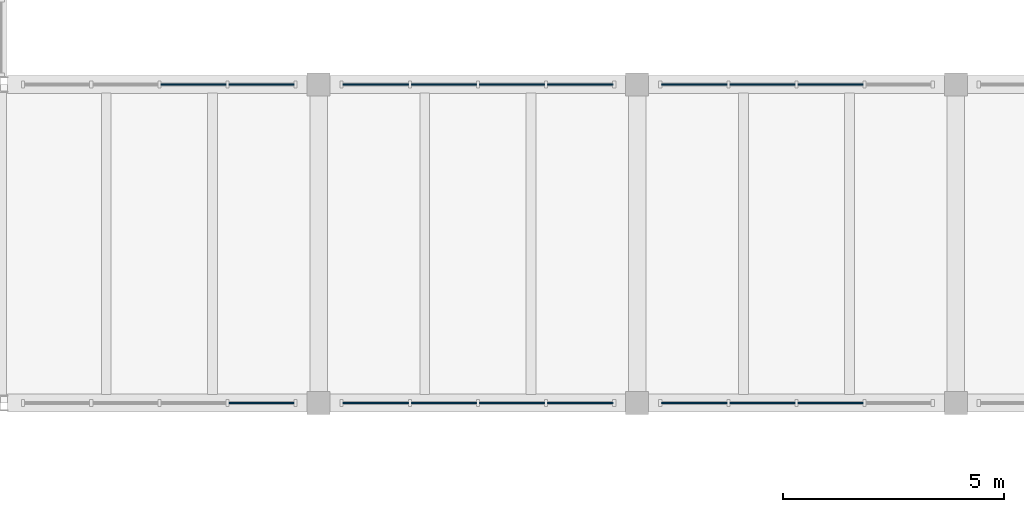
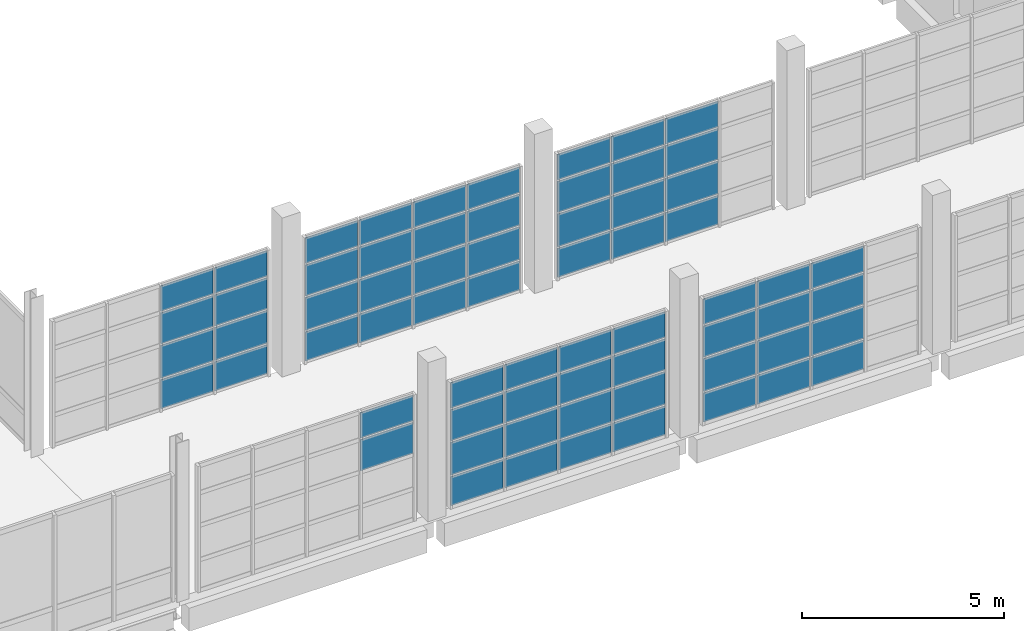
# One storey, part 51 of 77: 66 plates, 6 elements without a shape of their own.
"""IFC4 building model written with IfcOpenShell, lengths in metres."""

from ifc_helpers import new_model, si_unit, direction, frame, frame_2d, origin, place, context, subcontext, project, spatial, rectangle, extrude, material, layer, layer_set, type_object, element, aggregate, save


model = new_model("IFC4")

# Units and contexts
model_context = context("Model", 3, precision=1e-05, world=origin(), true_north=direction((0.0, 1.0)))
body_context = subcontext(model_context, "Body", "Model", "MODEL_VIEW")
ifc_project = project(units=[si_unit("LENGTHUNIT", "METRE"), si_unit("AREAUNIT", "SQUARE_METRE"), si_unit("VOLUMEUNIT", "CUBIC_METRE"), si_unit("PLANEANGLEUNIT", "RADIAN"), si_unit("MASSUNIT", "GRAM", prefix="KILO")], contexts=[model_context])

# Site, building, storey
site_placement = place(None, origin())
site = spatial("IfcSite", under=ifc_project, at=site_placement, CompositionType="ELEMENT")
building_placement = place(site_placement, origin())
building = spatial("IfcBuilding", under=site, at=building_placement, Name="Qiaolan Assembly House", CompositionType="ELEMENT")
storey_placement = place(building_placement, frame((0.0, 0.0, 5.39990234375)))
storey = spatial("IfcBuildingStorey", under=building, at=storey_placement, Name="L01", CompositionType="ELEMENT", Elevation=5.39990234375)

# Curtain wall, plates
ifc_material_1 = material(Name="Anodised bronze aluminium", Category="aluminium")
curtain_wall_type = type_object("IfcCurtainWallType", Name="CW-CLOISTER-420", PredefinedType="NOTDEFINED", material=ifc_material_1)
curtain_wall_1_placement = place(storey_placement, origin())
curtain_wall_1 = element("IfcCurtainWall", 1, at=curtain_wall_1_placement, inside=storey, type_object=curtain_wall_type, Name="CW-05 South Cloister outer arcade L01-1", PredefinedType="NOTDEFINED")
ifc_material_2 = material(Name="Low-E double insulating glass", Category="glass")
ifc_layer = layer(ifc_material_2, 0.02587890625)
ifc_layer_set = layer_set([ifc_layer], Name="Low-E double insulating glass")
plate_type = type_object("IfcPlateType", Name="CW-CLOISTER-420-PNL", PredefinedType="CURTAIN_PANEL", material=ifc_layer_set)
plate_1_placement = place(storey_placement, frame((113.1669921875, 36.0, 2.009521484375), z_axis=(0.0, 0.0, 1.0), x_axis=(1.0, 0.0, 0.0)))
plate_1 = element("IfcPlate", 2, at=plate_1_placement, type_object=plate_type, Name="GL-06 glazing panel CW-CLS-OUT-L01-0-15", PredefinedType="CURTAIN_PANEL", context=body_context, shape_type="SweptSolid", body=[
    extrude(rectangle(XDim=1.486083984375, YDim=0.02587890625, at=frame_2d((0.7431640625, 0.0))), origin(), (0.0, 0.0, 1.0), 0.9375),
])
plate_2_placement = place(storey_placement, frame((113.1669921875, 36.0, 2.9931640625), z_axis=(0.0, 0.0, 1.0), x_axis=(1.0, 0.0, 0.0)))
plate_2 = element("IfcPlate", 3, at=plate_2_placement, type_object=plate_type, Name="GL-06 glazing panel CW-CLS-OUT-L01-0-16", PredefinedType="CURTAIN_PANEL", context=body_context, shape_type="SweptSolid", body=[
    extrude(rectangle(XDim=1.486083984375, YDim=0.02587890625, at=frame_2d((0.7431640625, 0.0))), origin(), (0.0, 0.0, 1.0), 0.77392578125),
])
aggregate(curtain_wall_1, [plate_1, plate_2])

curtain_wall_2_placement = place(storey_placement, origin())
curtain_wall_2 = element("IfcCurtainWall", 4, at=curtain_wall_2_placement, inside=storey, type_object=curtain_wall_type, Name="CW-05 South Cloister court arcade L01-1", PredefinedType="NOTDEFINED")
plate_3_placement = place(storey_placement, frame((114.653076171875, 43.199951171875, 0.052978515625), z_axis=(0.0, 0.0, 1.0), x_axis=(-1.0, 0.0, 0.0)))
plate_3 = element("IfcPlate", 5, at=plate_3_placement, type_object=plate_type, Name="GL-06 glazing panel CW-CLS-CRT-L01-0-1", PredefinedType="CURTAIN_PANEL", context=body_context, shape_type="SweptSolid", body=[
    extrude(rectangle(XDim=1.486083984375, YDim=0.02587890625, at=frame_2d((0.7431640625, 0.0))), origin(), (0.0, 0.0, 1.0), 0.8740234375),
])
plate_4_placement = place(storey_placement, frame((114.653076171875, 43.199951171875, 0.97314453125), z_axis=(0.0, 0.0, 1.0), x_axis=(-1.0, 0.0, 0.0)))
plate_4 = element("IfcPlate", 6, at=plate_4_placement, type_object=plate_type, Name="GL-06 glazing panel CW-CLS-CRT-L01-0-2", PredefinedType="CURTAIN_PANEL", context=body_context, shape_type="SweptSolid", body=[
    extrude(rectangle(XDim=1.486083984375, YDim=0.02587890625, at=frame_2d((0.7431640625, 0.0))), origin(), (0.0, 0.0, 1.0), 0.990234375),
])
plate_5_placement = place(storey_placement, frame((114.653076171875, 43.199951171875, 2.009521484375), z_axis=(0.0, 0.0, 1.0), x_axis=(-1.0, 0.0, 0.0)))
plate_5 = element("IfcPlate", 7, at=plate_5_placement, type_object=plate_type, Name="GL-06 glazing panel CW-CLS-CRT-L01-0-3", PredefinedType="CURTAIN_PANEL", context=body_context, shape_type="SweptSolid", body=[
    extrude(rectangle(XDim=1.486083984375, YDim=0.02587890625, at=frame_2d((0.7431640625, 0.0))), origin(), (0.0, 0.0, 1.0), 0.9375),
])
plate_6_placement = place(storey_placement, frame((114.653076171875, 43.199951171875, 2.9931640625), z_axis=(0.0, 0.0, 1.0), x_axis=(-1.0, 0.0, 0.0)))
plate_6 = element("IfcPlate", 8, at=plate_6_placement, type_object=plate_type, Name="GL-06 glazing panel CW-CLS-CRT-L01-0-4", PredefinedType="CURTAIN_PANEL", context=body_context, shape_type="SweptSolid", body=[
    extrude(rectangle(XDim=1.486083984375, YDim=0.02587890625, at=frame_2d((0.7431640625, 0.0))), origin(), (0.0, 0.0, 1.0), 0.77392578125),
])
plate_7_placement = place(storey_placement, frame((113.113037109375, 43.199951171875, 0.052978515625), z_axis=(0.0, 0.0, 1.0), x_axis=(-1.0, 0.0, 0.0)))
plate_7 = element("IfcPlate", 9, at=plate_7_placement, type_object=plate_type, Name="GL-06 glazing panel CW-CLS-CRT-L01-0-5", PredefinedType="CURTAIN_PANEL", context=body_context, shape_type="SweptSolid", body=[
    extrude(rectangle(XDim=1.486083984375, YDim=0.02587890625, at=frame_2d((0.7431640625, 0.0))), origin(), (0.0, 0.0, 1.0), 0.8740234375),
])
plate_8_placement = place(storey_placement, frame((113.113037109375, 43.199951171875, 0.97314453125), z_axis=(0.0, 0.0, 1.0), x_axis=(-1.0, 0.0, 0.0)))
plate_8 = element("IfcPlate", 10, at=plate_8_placement, type_object=plate_type, Name="GL-06 glazing panel CW-CLS-CRT-L01-0-6", PredefinedType="CURTAIN_PANEL", context=body_context, shape_type="SweptSolid", body=[
    extrude(rectangle(XDim=1.486083984375, YDim=0.02587890625, at=frame_2d((0.7431640625, 0.0))), origin(), (0.0, 0.0, 1.0), 0.990234375),
])
plate_9_placement = place(storey_placement, frame((113.113037109375, 43.199951171875, 2.009521484375), z_axis=(0.0, 0.0, 1.0), x_axis=(-1.0, 0.0, 0.0)))
plate_9 = element("IfcPlate", 11, at=plate_9_placement, type_object=plate_type, Name="GL-06 glazing panel CW-CLS-CRT-L01-0-7", PredefinedType="CURTAIN_PANEL", context=body_context, shape_type="SweptSolid", body=[
    extrude(rectangle(XDim=1.486083984375, YDim=0.02587890625, at=frame_2d((0.7431640625, 0.0))), origin(), (0.0, 0.0, 1.0), 0.9375),
])
plate_10_placement = place(storey_placement, frame((113.113037109375, 43.199951171875, 2.9931640625), z_axis=(0.0, 0.0, 1.0), x_axis=(-1.0, 0.0, 0.0)))
plate_10 = element("IfcPlate", 12, at=plate_10_placement, type_object=plate_type, Name="GL-06 glazing panel CW-CLS-CRT-L01-0-8", PredefinedType="CURTAIN_PANEL", context=body_context, shape_type="SweptSolid", body=[
    extrude(rectangle(XDim=1.486083984375, YDim=0.02587890625, at=frame_2d((0.7431640625, 0.0))), origin(), (0.0, 0.0, 1.0), 0.77392578125),
])
aggregate(curtain_wall_2, [plate_3, plate_4, plate_5, plate_6, plate_7, plate_8, plate_9, plate_10])

curtain_wall_3_placement = place(storey_placement, origin())
curtain_wall_3 = element("IfcCurtainWall", 13, at=curtain_wall_3_placement, inside=storey, type_object=curtain_wall_type, Name="CW-05 South Cloister outer arcade L01-2", PredefinedType="NOTDEFINED")
plate_11_placement = place(storey_placement, frame((115.7470703125, 36.0, 0.052978515625), z_axis=(0.0, 0.0, 1.0), x_axis=(1.0, 0.0, 0.0)))
plate_11 = element("IfcPlate", 14, at=plate_11_placement, type_object=plate_type, Name="GL-06 glazing panel CW-CLS-OUT-L01-1-1", PredefinedType="CURTAIN_PANEL", context=body_context, shape_type="SweptSolid", body=[
    extrude(rectangle(XDim=1.48583984375, YDim=0.02587890625, at=frame_2d((0.742919921875, 0.0))), origin(), (0.0, 0.0, 1.0), 0.8740234375),
])
plate_12_placement = place(storey_placement, frame((115.7470703125, 36.0, 0.97314453125), z_axis=(0.0, 0.0, 1.0), x_axis=(1.0, 0.0, 0.0)))
plate_12 = element("IfcPlate", 15, at=plate_12_placement, type_object=plate_type, Name="GL-06 glazing panel CW-CLS-OUT-L01-1-2", PredefinedType="CURTAIN_PANEL", context=body_context, shape_type="SweptSolid", body=[
    extrude(rectangle(XDim=1.48583984375, YDim=0.02587890625, at=frame_2d((0.742919921875, 0.0))), origin(), (0.0, 0.0, 1.0), 0.990234375),
])
plate_13_placement = place(storey_placement, frame((115.7470703125, 36.0, 2.009521484375), z_axis=(0.0, 0.0, 1.0), x_axis=(1.0, 0.0, 0.0)))
plate_13 = element("IfcPlate", 16, at=plate_13_placement, type_object=plate_type, Name="GL-06 glazing panel CW-CLS-OUT-L01-1-3", PredefinedType="CURTAIN_PANEL", context=body_context, shape_type="SweptSolid", body=[
    extrude(rectangle(XDim=1.48583984375, YDim=0.02587890625, at=frame_2d((0.742919921875, 0.0))), origin(), (0.0, 0.0, 1.0), 0.9375),
])
plate_14_placement = place(storey_placement, frame((115.7470703125, 36.0, 2.9931640625), z_axis=(0.0, 0.0, 1.0), x_axis=(1.0, 0.0, 0.0)))
plate_14 = element("IfcPlate", 17, at=plate_14_placement, type_object=plate_type, Name="GL-06 glazing panel CW-CLS-OUT-L01-1-4", PredefinedType="CURTAIN_PANEL", context=body_context, shape_type="SweptSolid", body=[
    extrude(rectangle(XDim=1.48583984375, YDim=0.02587890625, at=frame_2d((0.742919921875, 0.0))), origin(), (0.0, 0.0, 1.0), 0.77392578125),
])
plate_15_placement = place(storey_placement, frame((117.287109375, 36.0, 0.052978515625), z_axis=(0.0, 0.0, 1.0), x_axis=(1.0, 0.0, 0.0)))
plate_15 = element("IfcPlate", 18, at=plate_15_placement, type_object=plate_type, Name="GL-06 glazing panel CW-CLS-OUT-L01-1-5", PredefinedType="CURTAIN_PANEL", context=body_context, shape_type="SweptSolid", body=[
    extrude(rectangle(XDim=1.48583984375, YDim=0.02587890625, at=frame_2d((0.742919921875, 0.0))), origin(), (0.0, 0.0, 1.0), 0.8740234375),
])
plate_16_placement = place(storey_placement, frame((117.287109375, 36.0, 0.97314453125), z_axis=(0.0, 0.0, 1.0), x_axis=(1.0, 0.0, 0.0)))
plate_16 = element("IfcPlate", 19, at=plate_16_placement, type_object=plate_type, Name="GL-06 glazing panel CW-CLS-OUT-L01-1-6", PredefinedType="CURTAIN_PANEL", context=body_context, shape_type="SweptSolid", body=[
    extrude(rectangle(XDim=1.48583984375, YDim=0.02587890625, at=frame_2d((0.742919921875, 0.0))), origin(), (0.0, 0.0, 1.0), 0.990234375),
])
plate_17_placement = place(storey_placement, frame((117.287109375, 36.0, 2.009521484375), z_axis=(0.0, 0.0, 1.0), x_axis=(1.0, 0.0, 0.0)))
plate_17 = element("IfcPlate", 20, at=plate_17_placement, type_object=plate_type, Name="GL-06 glazing panel CW-CLS-OUT-L01-1-7", PredefinedType="CURTAIN_PANEL", context=body_context, shape_type="SweptSolid", body=[
    extrude(rectangle(XDim=1.48583984375, YDim=0.02587890625, at=frame_2d((0.742919921875, 0.0))), origin(), (0.0, 0.0, 1.0), 0.9375),
])
plate_18_placement = place(storey_placement, frame((117.287109375, 36.0, 2.9931640625), z_axis=(0.0, 0.0, 1.0), x_axis=(1.0, 0.0, 0.0)))
plate_18 = element("IfcPlate", 21, at=plate_18_placement, type_object=plate_type, Name="GL-06 glazing panel CW-CLS-OUT-L01-1-8", PredefinedType="CURTAIN_PANEL", context=body_context, shape_type="SweptSolid", body=[
    extrude(rectangle(XDim=1.48583984375, YDim=0.02587890625, at=frame_2d((0.742919921875, 0.0))), origin(), (0.0, 0.0, 1.0), 0.77392578125),
])
plate_19_placement = place(storey_placement, frame((118.826904296875, 36.0, 0.052978515625), z_axis=(0.0, 0.0, 1.0), x_axis=(1.0, 0.0, 0.0)))
plate_19 = element("IfcPlate", 22, at=plate_19_placement, type_object=plate_type, Name="GL-06 glazing panel CW-CLS-OUT-L01-1-9", PredefinedType="CURTAIN_PANEL", context=body_context, shape_type="SweptSolid", body=[
    extrude(rectangle(XDim=1.486083984375, YDim=0.02587890625, at=frame_2d((0.7431640625, 0.0))), origin(), (0.0, 0.0, 1.0), 0.8740234375),
])
plate_20_placement = place(storey_placement, frame((118.826904296875, 36.0, 0.97314453125), z_axis=(0.0, 0.0, 1.0), x_axis=(1.0, 0.0, 0.0)))
plate_20 = element("IfcPlate", 23, at=plate_20_placement, type_object=plate_type, Name="GL-06 glazing panel CW-CLS-OUT-L01-1-10", PredefinedType="CURTAIN_PANEL", context=body_context, shape_type="SweptSolid", body=[
    extrude(rectangle(XDim=1.486083984375, YDim=0.02587890625, at=frame_2d((0.7431640625, 0.0))), origin(), (0.0, 0.0, 1.0), 0.990234375),
])
plate_21_placement = place(storey_placement, frame((118.826904296875, 36.0, 2.009521484375), z_axis=(0.0, 0.0, 1.0), x_axis=(1.0, 0.0, 0.0)))
plate_21 = element("IfcPlate", 24, at=plate_21_placement, type_object=plate_type, Name="GL-06 glazing panel CW-CLS-OUT-L01-1-11", PredefinedType="CURTAIN_PANEL", context=body_context, shape_type="SweptSolid", body=[
    extrude(rectangle(XDim=1.486083984375, YDim=0.02587890625, at=frame_2d((0.7431640625, 0.0))), origin(), (0.0, 0.0, 1.0), 0.9375),
])
plate_22_placement = place(storey_placement, frame((118.826904296875, 36.0, 2.9931640625), z_axis=(0.0, 0.0, 1.0), x_axis=(1.0, 0.0, 0.0)))
plate_22 = element("IfcPlate", 25, at=plate_22_placement, type_object=plate_type, Name="GL-06 glazing panel CW-CLS-OUT-L01-1-12", PredefinedType="CURTAIN_PANEL", context=body_context, shape_type="SweptSolid", body=[
    extrude(rectangle(XDim=1.486083984375, YDim=0.02587890625, at=frame_2d((0.7431640625, 0.0))), origin(), (0.0, 0.0, 1.0), 0.77392578125),
])
plate_23_placement = place(storey_placement, frame((120.366943359375, 36.0, 0.052978515625), z_axis=(0.0, 0.0, 1.0), x_axis=(1.0, 0.0, 0.0)))
plate_23 = element("IfcPlate", 26, at=plate_23_placement, type_object=plate_type, Name="GL-06 glazing panel CW-CLS-OUT-L01-1-13", PredefinedType="CURTAIN_PANEL", context=body_context, shape_type="SweptSolid", body=[
    extrude(rectangle(XDim=1.486083984375, YDim=0.02587890625, at=frame_2d((0.7431640625, 0.0))), origin(), (0.0, 0.0, 1.0), 0.8740234375),
])
plate_24_placement = place(storey_placement, frame((120.366943359375, 36.0, 0.97314453125), z_axis=(0.0, 0.0, 1.0), x_axis=(1.0, 0.0, 0.0)))
plate_24 = element("IfcPlate", 27, at=plate_24_placement, type_object=plate_type, Name="GL-06 glazing panel CW-CLS-OUT-L01-1-14", PredefinedType="CURTAIN_PANEL", context=body_context, shape_type="SweptSolid", body=[
    extrude(rectangle(XDim=1.486083984375, YDim=0.02587890625, at=frame_2d((0.7431640625, 0.0))), origin(), (0.0, 0.0, 1.0), 0.990234375),
])
plate_25_placement = place(storey_placement, frame((120.366943359375, 36.0, 2.009521484375), z_axis=(0.0, 0.0, 1.0), x_axis=(1.0, 0.0, 0.0)))
plate_25 = element("IfcPlate", 28, at=plate_25_placement, type_object=plate_type, Name="GL-06 glazing panel CW-CLS-OUT-L01-1-15", PredefinedType="CURTAIN_PANEL", context=body_context, shape_type="SweptSolid", body=[
    extrude(rectangle(XDim=1.486083984375, YDim=0.02587890625, at=frame_2d((0.7431640625, 0.0))), origin(), (0.0, 0.0, 1.0), 0.9375),
])
plate_26_placement = place(storey_placement, frame((120.366943359375, 36.0, 2.9931640625), z_axis=(0.0, 0.0, 1.0), x_axis=(1.0, 0.0, 0.0)))
plate_26 = element("IfcPlate", 29, at=plate_26_placement, type_object=plate_type, Name="GL-06 glazing panel CW-CLS-OUT-L01-1-16", PredefinedType="CURTAIN_PANEL", context=body_context, shape_type="SweptSolid", body=[
    extrude(rectangle(XDim=1.486083984375, YDim=0.02587890625, at=frame_2d((0.7431640625, 0.0))), origin(), (0.0, 0.0, 1.0), 0.77392578125),
])
aggregate(curtain_wall_3, [plate_11, plate_12, plate_13, plate_14, plate_15, plate_16, plate_17, plate_18, plate_19, plate_20, plate_21, plate_22, plate_23, plate_24, plate_25, plate_26])

curtain_wall_4_placement = place(storey_placement, origin())
curtain_wall_4 = element("IfcCurtainWall", 30, at=curtain_wall_4_placement, inside=storey, type_object=curtain_wall_type, Name="CW-05 South Cloister court arcade L01-2", PredefinedType="NOTDEFINED")
plate_27_placement = place(storey_placement, frame((121.85302734375, 43.199951171875, 0.052978515625), z_axis=(0.0, 0.0, 1.0), x_axis=(-1.0, 0.0, 0.0)))
plate_27 = element("IfcPlate", 31, at=plate_27_placement, type_object=plate_type, Name="GL-06 glazing panel CW-CLS-CRT-L01-1-1", PredefinedType="CURTAIN_PANEL", context=body_context, shape_type="SweptSolid", body=[
    extrude(rectangle(XDim=1.486083984375, YDim=0.02587890625, at=frame_2d((0.7431640625, 0.0))), origin(), (0.0, 0.0, 1.0), 0.8740234375),
])
plate_28_placement = place(storey_placement, frame((121.85302734375, 43.199951171875, 0.97314453125), z_axis=(0.0, 0.0, 1.0), x_axis=(-1.0, 0.0, 0.0)))
plate_28 = element("IfcPlate", 32, at=plate_28_placement, type_object=plate_type, Name="GL-06 glazing panel CW-CLS-CRT-L01-1-2", PredefinedType="CURTAIN_PANEL", context=body_context, shape_type="SweptSolid", body=[
    extrude(rectangle(XDim=1.486083984375, YDim=0.02587890625, at=frame_2d((0.7431640625, 0.0))), origin(), (0.0, 0.0, 1.0), 0.990234375),
])
plate_29_placement = place(storey_placement, frame((121.85302734375, 43.199951171875, 2.009521484375), z_axis=(0.0, 0.0, 1.0), x_axis=(-1.0, 0.0, 0.0)))
plate_29 = element("IfcPlate", 33, at=plate_29_placement, type_object=plate_type, Name="GL-06 glazing panel CW-CLS-CRT-L01-1-3", PredefinedType="CURTAIN_PANEL", context=body_context, shape_type="SweptSolid", body=[
    extrude(rectangle(XDim=1.486083984375, YDim=0.02587890625, at=frame_2d((0.7431640625, 0.0))), origin(), (0.0, 0.0, 1.0), 0.9375),
])
plate_30_placement = place(storey_placement, frame((121.85302734375, 43.199951171875, 2.9931640625), z_axis=(0.0, 0.0, 1.0), x_axis=(-1.0, 0.0, 0.0)))
plate_30 = element("IfcPlate", 34, at=plate_30_placement, type_object=plate_type, Name="GL-06 glazing panel CW-CLS-CRT-L01-1-4", PredefinedType="CURTAIN_PANEL", context=body_context, shape_type="SweptSolid", body=[
    extrude(rectangle(XDim=1.486083984375, YDim=0.02587890625, at=frame_2d((0.7431640625, 0.0))), origin(), (0.0, 0.0, 1.0), 0.77392578125),
])
plate_31_placement = place(storey_placement, frame((120.31298828125, 43.199951171875, 0.052978515625), z_axis=(0.0, 0.0, 1.0), x_axis=(-1.0, 0.0, 0.0)))
plate_31 = element("IfcPlate", 35, at=plate_31_placement, type_object=plate_type, Name="GL-06 glazing panel CW-CLS-CRT-L01-1-5", PredefinedType="CURTAIN_PANEL", context=body_context, shape_type="SweptSolid", body=[
    extrude(rectangle(XDim=1.486083984375, YDim=0.02587890625, at=frame_2d((0.7431640625, 0.0))), origin(), (0.0, 0.0, 1.0), 0.8740234375),
])
plate_32_placement = place(storey_placement, frame((120.31298828125, 43.199951171875, 0.97314453125), z_axis=(0.0, 0.0, 1.0), x_axis=(-1.0, 0.0, 0.0)))
plate_32 = element("IfcPlate", 36, at=plate_32_placement, type_object=plate_type, Name="GL-06 glazing panel CW-CLS-CRT-L01-1-6", PredefinedType="CURTAIN_PANEL", context=body_context, shape_type="SweptSolid", body=[
    extrude(rectangle(XDim=1.486083984375, YDim=0.02587890625, at=frame_2d((0.7431640625, 0.0))), origin(), (0.0, 0.0, 1.0), 0.990234375),
])
plate_33_placement = place(storey_placement, frame((120.31298828125, 43.199951171875, 2.009521484375), z_axis=(0.0, 0.0, 1.0), x_axis=(-1.0, 0.0, 0.0)))
plate_33 = element("IfcPlate", 37, at=plate_33_placement, type_object=plate_type, Name="GL-06 glazing panel CW-CLS-CRT-L01-1-7", PredefinedType="CURTAIN_PANEL", context=body_context, shape_type="SweptSolid", body=[
    extrude(rectangle(XDim=1.486083984375, YDim=0.02587890625, at=frame_2d((0.7431640625, 0.0))), origin(), (0.0, 0.0, 1.0), 0.9375),
])
plate_34_placement = place(storey_placement, frame((120.31298828125, 43.199951171875, 2.9931640625), z_axis=(0.0, 0.0, 1.0), x_axis=(-1.0, 0.0, 0.0)))
plate_34 = element("IfcPlate", 38, at=plate_34_placement, type_object=plate_type, Name="GL-06 glazing panel CW-CLS-CRT-L01-1-8", PredefinedType="CURTAIN_PANEL", context=body_context, shape_type="SweptSolid", body=[
    extrude(rectangle(XDim=1.486083984375, YDim=0.02587890625, at=frame_2d((0.7431640625, 0.0))), origin(), (0.0, 0.0, 1.0), 0.77392578125),
])
plate_35_placement = place(storey_placement, frame((118.77294921875, 43.199951171875, 0.052978515625), z_axis=(0.0, 0.0, 1.0), x_axis=(-1.0, 0.0, 0.0)))
plate_35 = element("IfcPlate", 39, at=plate_35_placement, type_object=plate_type, Name="GL-06 glazing panel CW-CLS-CRT-L01-1-9", PredefinedType="CURTAIN_PANEL", context=body_context, shape_type="SweptSolid", body=[
    extrude(rectangle(XDim=1.48583984375, YDim=0.02587890625, at=frame_2d((0.742919921875, 0.0))), origin(), (0.0, 0.0, 1.0), 0.8740234375),
])
plate_36_placement = place(storey_placement, frame((118.77294921875, 43.199951171875, 0.97314453125), z_axis=(0.0, 0.0, 1.0), x_axis=(-1.0, 0.0, 0.0)))
plate_36 = element("IfcPlate", 40, at=plate_36_placement, type_object=plate_type, Name="GL-06 glazing panel CW-CLS-CRT-L01-1-10", PredefinedType="CURTAIN_PANEL", context=body_context, shape_type="SweptSolid", body=[
    extrude(rectangle(XDim=1.48583984375, YDim=0.02587890625, at=frame_2d((0.742919921875, 0.0))), origin(), (0.0, 0.0, 1.0), 0.990234375),
])
plate_37_placement = place(storey_placement, frame((118.77294921875, 43.199951171875, 2.009521484375), z_axis=(0.0, 0.0, 1.0), x_axis=(-1.0, 0.0, 0.0)))
plate_37 = element("IfcPlate", 41, at=plate_37_placement, type_object=plate_type, Name="GL-06 glazing panel CW-CLS-CRT-L01-1-11", PredefinedType="CURTAIN_PANEL", context=body_context, shape_type="SweptSolid", body=[
    extrude(rectangle(XDim=1.48583984375, YDim=0.02587890625, at=frame_2d((0.742919921875, 0.0))), origin(), (0.0, 0.0, 1.0), 0.9375),
])
plate_38_placement = place(storey_placement, frame((118.77294921875, 43.199951171875, 2.9931640625), z_axis=(0.0, 0.0, 1.0), x_axis=(-1.0, 0.0, 0.0)))
plate_38 = element("IfcPlate", 42, at=plate_38_placement, type_object=plate_type, Name="GL-06 glazing panel CW-CLS-CRT-L01-1-12", PredefinedType="CURTAIN_PANEL", context=body_context, shape_type="SweptSolid", body=[
    extrude(rectangle(XDim=1.48583984375, YDim=0.02587890625, at=frame_2d((0.742919921875, 0.0))), origin(), (0.0, 0.0, 1.0), 0.77392578125),
])
plate_39_placement = place(storey_placement, frame((117.23291015625, 43.199951171875, 0.052978515625), z_axis=(0.0, 0.0, 1.0), x_axis=(-1.0, 0.0, 0.0)))
plate_39 = element("IfcPlate", 43, at=plate_39_placement, type_object=plate_type, Name="GL-06 glazing panel CW-CLS-CRT-L01-1-13", PredefinedType="CURTAIN_PANEL", context=body_context, shape_type="SweptSolid", body=[
    extrude(rectangle(XDim=1.48583984375, YDim=0.02587890625, at=frame_2d((0.742919921875, 0.0))), origin(), (0.0, 0.0, 1.0), 0.8740234375),
])
plate_40_placement = place(storey_placement, frame((117.23291015625, 43.199951171875, 0.97314453125), z_axis=(0.0, 0.0, 1.0), x_axis=(-1.0, 0.0, 0.0)))
plate_40 = element("IfcPlate", 44, at=plate_40_placement, type_object=plate_type, Name="GL-06 glazing panel CW-CLS-CRT-L01-1-14", PredefinedType="CURTAIN_PANEL", context=body_context, shape_type="SweptSolid", body=[
    extrude(rectangle(XDim=1.48583984375, YDim=0.02587890625, at=frame_2d((0.742919921875, 0.0))), origin(), (0.0, 0.0, 1.0), 0.990234375),
])
plate_41_placement = place(storey_placement, frame((117.23291015625, 43.199951171875, 2.009521484375), z_axis=(0.0, 0.0, 1.0), x_axis=(-1.0, 0.0, 0.0)))
plate_41 = element("IfcPlate", 45, at=plate_41_placement, type_object=plate_type, Name="GL-06 glazing panel CW-CLS-CRT-L01-1-15", PredefinedType="CURTAIN_PANEL", context=body_context, shape_type="SweptSolid", body=[
    extrude(rectangle(XDim=1.48583984375, YDim=0.02587890625, at=frame_2d((0.742919921875, 0.0))), origin(), (0.0, 0.0, 1.0), 0.9375),
])
plate_42_placement = place(storey_placement, frame((117.23291015625, 43.199951171875, 2.9931640625), z_axis=(0.0, 0.0, 1.0), x_axis=(-1.0, 0.0, 0.0)))
plate_42 = element("IfcPlate", 46, at=plate_42_placement, type_object=plate_type, Name="GL-06 glazing panel CW-CLS-CRT-L01-1-16", PredefinedType="CURTAIN_PANEL", context=body_context, shape_type="SweptSolid", body=[
    extrude(rectangle(XDim=1.48583984375, YDim=0.02587890625, at=frame_2d((0.742919921875, 0.0))), origin(), (0.0, 0.0, 1.0), 0.77392578125),
])
aggregate(curtain_wall_4, [plate_27, plate_28, plate_29, plate_30, plate_31, plate_32, plate_33, plate_34, plate_35, plate_36, plate_37, plate_38, plate_39, plate_40, plate_41, plate_42])

curtain_wall_5_placement = place(storey_placement, origin())
curtain_wall_5 = element("IfcCurtainWall", 47, at=curtain_wall_5_placement, inside=storey, type_object=curtain_wall_type, Name="CW-05 South Cloister outer arcade L01-3", PredefinedType="NOTDEFINED")
plate_43_placement = place(storey_placement, frame((122.947021484375, 36.0, 0.052978515625), z_axis=(0.0, 0.0, 1.0), x_axis=(1.0, 0.0, 0.0)))
plate_43 = element("IfcPlate", 48, at=plate_43_placement, type_object=plate_type, Name="GL-06 glazing panel CW-CLS-OUT-L01-2-1", PredefinedType="CURTAIN_PANEL", context=body_context, shape_type="SweptSolid", body=[
    extrude(rectangle(XDim=1.486083984375, YDim=0.02587890625, at=frame_2d((0.7431640625, 0.0))), origin(), (0.0, 0.0, 1.0), 0.8740234375),
])
plate_44_placement = place(storey_placement, frame((122.947021484375, 36.0, 0.97314453125), z_axis=(0.0, 0.0, 1.0), x_axis=(1.0, 0.0, 0.0)))
plate_44 = element("IfcPlate", 49, at=plate_44_placement, type_object=plate_type, Name="GL-06 glazing panel CW-CLS-OUT-L01-2-2", PredefinedType="CURTAIN_PANEL", context=body_context, shape_type="SweptSolid", body=[
    extrude(rectangle(XDim=1.486083984375, YDim=0.02587890625, at=frame_2d((0.7431640625, 0.0))), origin(), (0.0, 0.0, 1.0), 0.990234375),
])
plate_45_placement = place(storey_placement, frame((122.947021484375, 36.0, 2.009521484375), z_axis=(0.0, 0.0, 1.0), x_axis=(1.0, 0.0, 0.0)))
plate_45 = element("IfcPlate", 50, at=plate_45_placement, type_object=plate_type, Name="GL-06 glazing panel CW-CLS-OUT-L01-2-3", PredefinedType="CURTAIN_PANEL", context=body_context, shape_type="SweptSolid", body=[
    extrude(rectangle(XDim=1.486083984375, YDim=0.02587890625, at=frame_2d((0.7431640625, 0.0))), origin(), (0.0, 0.0, 1.0), 0.9375),
])
plate_46_placement = place(storey_placement, frame((122.947021484375, 36.0, 2.9931640625), z_axis=(0.0, 0.0, 1.0), x_axis=(1.0, 0.0, 0.0)))
plate_46 = element("IfcPlate", 51, at=plate_46_placement, type_object=plate_type, Name="GL-06 glazing panel CW-CLS-OUT-L01-2-4", PredefinedType="CURTAIN_PANEL", context=body_context, shape_type="SweptSolid", body=[
    extrude(rectangle(XDim=1.486083984375, YDim=0.02587890625, at=frame_2d((0.7431640625, 0.0))), origin(), (0.0, 0.0, 1.0), 0.77392578125),
])
plate_47_placement = place(storey_placement, frame((124.487060546875, 36.0, 0.052978515625), z_axis=(0.0, 0.0, 1.0), x_axis=(1.0, 0.0, 0.0)))
plate_47 = element("IfcPlate", 52, at=plate_47_placement, type_object=plate_type, Name="GL-06 glazing panel CW-CLS-OUT-L01-2-5", PredefinedType="CURTAIN_PANEL", context=body_context, shape_type="SweptSolid", body=[
    extrude(rectangle(XDim=1.48583984375, YDim=0.02587890625, at=frame_2d((0.742919921875, 0.0))), origin(), (0.0, 0.0, 1.0), 0.8740234375),
])
plate_48_placement = place(storey_placement, frame((124.487060546875, 36.0, 0.97314453125), z_axis=(0.0, 0.0, 1.0), x_axis=(1.0, 0.0, 0.0)))
plate_48 = element("IfcPlate", 53, at=plate_48_placement, type_object=plate_type, Name="GL-06 glazing panel CW-CLS-OUT-L01-2-6", PredefinedType="CURTAIN_PANEL", context=body_context, shape_type="SweptSolid", body=[
    extrude(rectangle(XDim=1.48583984375, YDim=0.02587890625, at=frame_2d((0.742919921875, 0.0))), origin(), (0.0, 0.0, 1.0), 0.990234375),
])
plate_49_placement = place(storey_placement, frame((124.487060546875, 36.0, 2.009521484375), z_axis=(0.0, 0.0, 1.0), x_axis=(1.0, 0.0, 0.0)))
plate_49 = element("IfcPlate", 54, at=plate_49_placement, type_object=plate_type, Name="GL-06 glazing panel CW-CLS-OUT-L01-2-7", PredefinedType="CURTAIN_PANEL", context=body_context, shape_type="SweptSolid", body=[
    extrude(rectangle(XDim=1.48583984375, YDim=0.02587890625, at=frame_2d((0.742919921875, 0.0))), origin(), (0.0, 0.0, 1.0), 0.9375),
])
plate_50_placement = place(storey_placement, frame((124.487060546875, 36.0, 2.9931640625), z_axis=(0.0, 0.0, 1.0), x_axis=(1.0, 0.0, 0.0)))
plate_50 = element("IfcPlate", 55, at=plate_50_placement, type_object=plate_type, Name="GL-06 glazing panel CW-CLS-OUT-L01-2-8", PredefinedType="CURTAIN_PANEL", context=body_context, shape_type="SweptSolid", body=[
    extrude(rectangle(XDim=1.48583984375, YDim=0.02587890625, at=frame_2d((0.742919921875, 0.0))), origin(), (0.0, 0.0, 1.0), 0.77392578125),
])
plate_51_placement = place(storey_placement, frame((126.027099609375, 36.0, 0.052978515625), z_axis=(0.0, 0.0, 1.0), x_axis=(1.0, 0.0, 0.0)))
plate_51 = element("IfcPlate", 56, at=plate_51_placement, type_object=plate_type, Name="GL-06 glazing panel CW-CLS-OUT-L01-2-9", PredefinedType="CURTAIN_PANEL", context=body_context, shape_type="SweptSolid", body=[
    extrude(rectangle(XDim=1.48583984375, YDim=0.02587890625, at=frame_2d((0.742919921875, 0.0))), origin(), (0.0, 0.0, 1.0), 0.8740234375),
])
plate_52_placement = place(storey_placement, frame((126.027099609375, 36.0, 0.97314453125), z_axis=(0.0, 0.0, 1.0), x_axis=(1.0, 0.0, 0.0)))
plate_52 = element("IfcPlate", 57, at=plate_52_placement, type_object=plate_type, Name="GL-06 glazing panel CW-CLS-OUT-L01-2-10", PredefinedType="CURTAIN_PANEL", context=body_context, shape_type="SweptSolid", body=[
    extrude(rectangle(XDim=1.48583984375, YDim=0.02587890625, at=frame_2d((0.742919921875, 0.0))), origin(), (0.0, 0.0, 1.0), 0.990234375),
])
plate_53_placement = place(storey_placement, frame((126.027099609375, 36.0, 2.009521484375), z_axis=(0.0, 0.0, 1.0), x_axis=(1.0, 0.0, 0.0)))
plate_53 = element("IfcPlate", 58, at=plate_53_placement, type_object=plate_type, Name="GL-06 glazing panel CW-CLS-OUT-L01-2-11", PredefinedType="CURTAIN_PANEL", context=body_context, shape_type="SweptSolid", body=[
    extrude(rectangle(XDim=1.48583984375, YDim=0.02587890625, at=frame_2d((0.742919921875, 0.0))), origin(), (0.0, 0.0, 1.0), 0.9375),
])
plate_54_placement = place(storey_placement, frame((126.027099609375, 36.0, 2.9931640625), z_axis=(0.0, 0.0, 1.0), x_axis=(1.0, 0.0, 0.0)))
plate_54 = element("IfcPlate", 59, at=plate_54_placement, type_object=plate_type, Name="GL-06 glazing panel CW-CLS-OUT-L01-2-12", PredefinedType="CURTAIN_PANEL", context=body_context, shape_type="SweptSolid", body=[
    extrude(rectangle(XDim=1.48583984375, YDim=0.02587890625, at=frame_2d((0.742919921875, 0.0))), origin(), (0.0, 0.0, 1.0), 0.77392578125),
])
aggregate(curtain_wall_5, [plate_43, plate_44, plate_45, plate_46, plate_47, plate_48, plate_49, plate_50, plate_51, plate_52, plate_53, plate_54])

curtain_wall_6_placement = place(storey_placement, origin())
curtain_wall_6 = element("IfcCurtainWall", 60, at=curtain_wall_6_placement, inside=storey, type_object=curtain_wall_type, Name="CW-05 South Cloister court arcade L01-3", PredefinedType="NOTDEFINED")
plate_55_placement = place(storey_placement, frame((127.512939453125, 43.199951171875, 0.052978515625), z_axis=(0.0, 0.0, 1.0), x_axis=(-1.0, 0.0, 0.0)))
plate_55 = element("IfcPlate", 61, at=plate_55_placement, type_object=plate_type, Name="GL-06 glazing panel CW-CLS-CRT-L01-2-5", PredefinedType="CURTAIN_PANEL", context=body_context, shape_type="SweptSolid", body=[
    extrude(rectangle(XDim=1.48583984375, YDim=0.02587890625, at=frame_2d((0.742919921875, 0.0))), origin(), (0.0, 0.0, 1.0), 0.8740234375),
])
plate_56_placement = place(storey_placement, frame((127.512939453125, 43.199951171875, 0.97314453125), z_axis=(0.0, 0.0, 1.0), x_axis=(-1.0, 0.0, 0.0)))
plate_56 = element("IfcPlate", 62, at=plate_56_placement, type_object=plate_type, Name="GL-06 glazing panel CW-CLS-CRT-L01-2-6", PredefinedType="CURTAIN_PANEL", context=body_context, shape_type="SweptSolid", body=[
    extrude(rectangle(XDim=1.48583984375, YDim=0.02587890625, at=frame_2d((0.742919921875, 0.0))), origin(), (0.0, 0.0, 1.0), 0.990234375),
])
plate_57_placement = place(storey_placement, frame((127.512939453125, 43.199951171875, 2.009521484375), z_axis=(0.0, 0.0, 1.0), x_axis=(-1.0, 0.0, 0.0)))
plate_57 = element("IfcPlate", 63, at=plate_57_placement, type_object=plate_type, Name="GL-06 glazing panel CW-CLS-CRT-L01-2-7", PredefinedType="CURTAIN_PANEL", context=body_context, shape_type="SweptSolid", body=[
    extrude(rectangle(XDim=1.48583984375, YDim=0.02587890625, at=frame_2d((0.742919921875, 0.0))), origin(), (0.0, 0.0, 1.0), 0.9375),
])
plate_58_placement = place(storey_placement, frame((127.512939453125, 43.199951171875, 2.9931640625), z_axis=(0.0, 0.0, 1.0), x_axis=(-1.0, 0.0, 0.0)))
plate_58 = element("IfcPlate", 64, at=plate_58_placement, type_object=plate_type, Name="GL-06 glazing panel CW-CLS-CRT-L01-2-8", PredefinedType="CURTAIN_PANEL", context=body_context, shape_type="SweptSolid", body=[
    extrude(rectangle(XDim=1.48583984375, YDim=0.02587890625, at=frame_2d((0.742919921875, 0.0))), origin(), (0.0, 0.0, 1.0), 0.77392578125),
])
plate_59_placement = place(storey_placement, frame((125.972900390625, 43.199951171875, 0.052978515625), z_axis=(0.0, 0.0, 1.0), x_axis=(-1.0, 0.0, 0.0)))
plate_59 = element("IfcPlate", 65, at=plate_59_placement, type_object=plate_type, Name="GL-06 glazing panel CW-CLS-CRT-L01-2-9", PredefinedType="CURTAIN_PANEL", context=body_context, shape_type="SweptSolid", body=[
    extrude(rectangle(XDim=1.48583984375, YDim=0.02587890625, at=frame_2d((0.742919921875, 0.0))), origin(), (0.0, 0.0, 1.0), 0.8740234375),
])
plate_60_placement = place(storey_placement, frame((125.972900390625, 43.199951171875, 0.97314453125), z_axis=(0.0, 0.0, 1.0), x_axis=(-1.0, 0.0, 0.0)))
plate_60 = element("IfcPlate", 66, at=plate_60_placement, type_object=plate_type, Name="GL-06 glazing panel CW-CLS-CRT-L01-2-10", PredefinedType="CURTAIN_PANEL", context=body_context, shape_type="SweptSolid", body=[
    extrude(rectangle(XDim=1.48583984375, YDim=0.02587890625, at=frame_2d((0.742919921875, 0.0))), origin(), (0.0, 0.0, 1.0), 0.990234375),
])
plate_61_placement = place(storey_placement, frame((125.972900390625, 43.199951171875, 2.009521484375), z_axis=(0.0, 0.0, 1.0), x_axis=(-1.0, 0.0, 0.0)))
plate_61 = element("IfcPlate", 67, at=plate_61_placement, type_object=plate_type, Name="GL-06 glazing panel CW-CLS-CRT-L01-2-11", PredefinedType="CURTAIN_PANEL", context=body_context, shape_type="SweptSolid", body=[
    extrude(rectangle(XDim=1.48583984375, YDim=0.02587890625, at=frame_2d((0.742919921875, 0.0))), origin(), (0.0, 0.0, 1.0), 0.9375),
])
plate_62_placement = place(storey_placement, frame((125.972900390625, 43.199951171875, 2.9931640625), z_axis=(0.0, 0.0, 1.0), x_axis=(-1.0, 0.0, 0.0)))
plate_62 = element("IfcPlate", 68, at=plate_62_placement, type_object=plate_type, Name="GL-06 glazing panel CW-CLS-CRT-L01-2-12", PredefinedType="CURTAIN_PANEL", context=body_context, shape_type="SweptSolid", body=[
    extrude(rectangle(XDim=1.48583984375, YDim=0.02587890625, at=frame_2d((0.742919921875, 0.0))), origin(), (0.0, 0.0, 1.0), 0.77392578125),
])
plate_63_placement = place(storey_placement, frame((124.43310546875, 43.199951171875, 0.052978515625), z_axis=(0.0, 0.0, 1.0), x_axis=(-1.0, 0.0, 0.0)))
plate_63 = element("IfcPlate", 69, at=plate_63_placement, type_object=plate_type, Name="GL-06 glazing panel CW-CLS-CRT-L01-2-13", PredefinedType="CURTAIN_PANEL", context=body_context, shape_type="SweptSolid", body=[
    extrude(rectangle(XDim=1.486083984375, YDim=0.02587890625, at=frame_2d((0.7431640625, 0.0))), origin(), (0.0, 0.0, 1.0), 0.8740234375),
])
plate_64_placement = place(storey_placement, frame((124.43310546875, 43.199951171875, 0.97314453125), z_axis=(0.0, 0.0, 1.0), x_axis=(-1.0, 0.0, 0.0)))
plate_64 = element("IfcPlate", 70, at=plate_64_placement, type_object=plate_type, Name="GL-06 glazing panel CW-CLS-CRT-L01-2-14", PredefinedType="CURTAIN_PANEL", context=body_context, shape_type="SweptSolid", body=[
    extrude(rectangle(XDim=1.486083984375, YDim=0.02587890625, at=frame_2d((0.7431640625, 0.0))), origin(), (0.0, 0.0, 1.0), 0.990234375),
])
plate_65_placement = place(storey_placement, frame((124.43310546875, 43.199951171875, 2.009521484375), z_axis=(0.0, 0.0, 1.0), x_axis=(-1.0, 0.0, 0.0)))
plate_65 = element("IfcPlate", 71, at=plate_65_placement, type_object=plate_type, Name="GL-06 glazing panel CW-CLS-CRT-L01-2-15", PredefinedType="CURTAIN_PANEL", context=body_context, shape_type="SweptSolid", body=[
    extrude(rectangle(XDim=1.486083984375, YDim=0.02587890625, at=frame_2d((0.7431640625, 0.0))), origin(), (0.0, 0.0, 1.0), 0.9375),
])
plate_66_placement = place(storey_placement, frame((124.43310546875, 43.199951171875, 2.9931640625), z_axis=(0.0, 0.0, 1.0), x_axis=(-1.0, 0.0, 0.0)))
plate_66 = element("IfcPlate", 72, at=plate_66_placement, type_object=plate_type, Name="GL-06 glazing panel CW-CLS-CRT-L01-2-16", PredefinedType="CURTAIN_PANEL", context=body_context, shape_type="SweptSolid", body=[
    extrude(rectangle(XDim=1.486083984375, YDim=0.02587890625, at=frame_2d((0.7431640625, 0.0))), origin(), (0.0, 0.0, 1.0), 0.77392578125),
])
aggregate(curtain_wall_6, [plate_55, plate_56, plate_57, plate_58, plate_59, plate_60, plate_61, plate_62, plate_63, plate_64, plate_65, plate_66])

save(model, "model.ifc")
